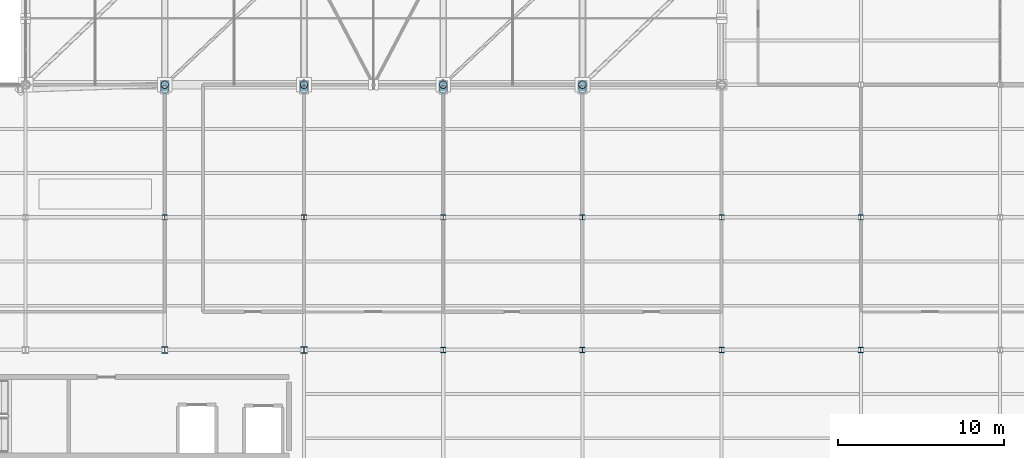
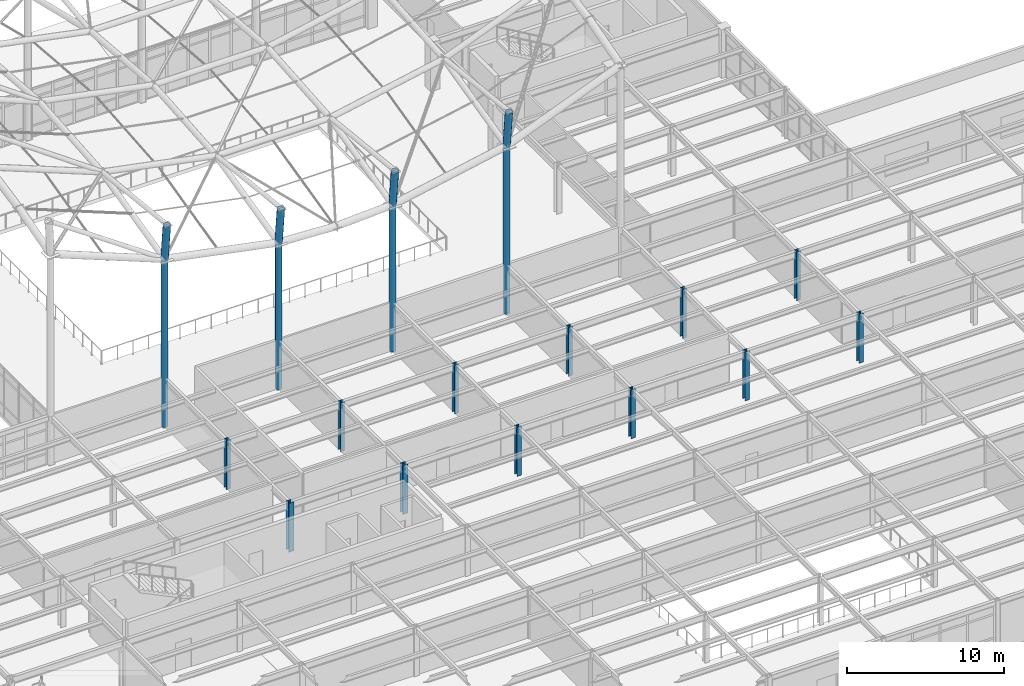
# One storey, part 8 of 138: 20 columns.
"""IFC4 building model written with IfcOpenShell, lengths in metres."""

from ifc_helpers import new_model, si_unit, direction, frame, origin, origin_2d, place, context, subcontext, project, spatial, hollow_circle, i_section, extrude, material, material_profile, profile_set, type_object, element, save


model = new_model("IFC4")

# Units and contexts
model_context = context("Model", 3, precision=1e-05, world=origin(), true_north=direction((0.0, 1.0)))
body_context = subcontext(model_context, "Body", "Model", "MODEL_VIEW")
ifc_project = project(units=[si_unit("LENGTHUNIT", "METRE"), si_unit("AREAUNIT", "SQUARE_METRE"), si_unit("VOLUMEUNIT", "CUBIC_METRE"), si_unit("PLANEANGLEUNIT", "RADIAN"), si_unit("MASSUNIT", "GRAM", prefix="KILO")], contexts=[model_context])

# Site, building, storey
site_placement = place(None, origin())
site = spatial("IfcSite", under=ifc_project, at=site_placement, CompositionType="ELEMENT")
building_placement = place(site_placement, origin())
building = spatial("IfcBuilding", under=site, at=building_placement, Name="Kranzveld Transit Interchange", CompositionType="ELEMENT")
storey_placement = place(building_placement, frame((0.0, 0.0, 5.43994140625)))
storey = spatial("IfcBuildingStorey", under=building, at=storey_placement, Name="L01", CompositionType="ELEMENT", Elevation=5.43994140625)

# Columns
ifc_material_1 = material(Name="Steel S355JR", Category="steel")
ifc_material_profile_1 = material_profile(ifc_material_1, i_section(OverallWidth=0.30908203125, OverallDepth=0.320556640625, WebThickness=0.013916015625, FlangeThickness=0.021728515625, FilletRadius=0.01513671875, at=origin_2d()), Name="UC 305x305x137")
ifc_profile_set_1 = profile_set([ifc_material_profile_1], Name="Steel S355JR")
column_type_1 = type_object("IfcColumnType", Name="Column Steel UC 305x305x137 S355JR", PredefinedType="COLUMN", material=ifc_profile_set_1)
for number, where, z_axis, x_axis, name in (
    (1, (67.199951171875, 48.0, 0.0), (0.0, 0.0, 1.0), (1.0, 0.0, 0.0), "L01 Column 09/G"),
    (2, (75.60009765625, 48.0, 0.0), (0.0, 0.0, 1.0), (1.0, 0.0, 0.0), "L01 Column 10/G"),
    (3, (84.0, 40.0, 0.0), (0.0, 0.0, 1.0), (1.0, 0.0, 0.0), "L01 Column 11/F"),
    (4, (84.0, 48.0, 0.0), (0.0, 0.0, 1.0), (1.0, 0.0, 0.0), "L01 Column 11/G"),
    (5, (92.39990234375, 40.0, 0.0), (0.0, 0.0, 1.0), (1.0, 0.0, 0.0), "L01 Column 12/F"),
    (6, (92.39990234375, 48.0, 0.0), (0.0, 0.0, 1.0), (1.0, 0.0, 0.0), "L01 Column 12/G"),
    (7, (100.800048828125, 40.0, 0.0), (0.0, 0.0, 1.0), (1.0, 0.0, 0.0), "L01 Column 13/F"),
    (8, (100.800048828125, 48.0, 0.0), (0.0, 0.0, 1.0), (1.0, 0.0, 0.0), "L01 Column 13/G"),
    (9, (109.199951171875, 40.0, 0.0), (0.0, 0.0, 1.0), (1.0, 0.0, 0.0), "L01 Column 14/F"),
    (10, (109.199951171875, 48.0, 0.0), (0.0, 0.0, 1.0), (1.0, 0.0, 0.0), "L01 Column 14/G"),
):
    element("IfcColumn", number, at=place(storey_placement, frame(where, z_axis=z_axis, x_axis=x_axis)), inside=storey, type_object=column_type_1, Name=name, PredefinedType="COLUMN", context=body_context, shape_type="SweptSolid", body=[
        extrude(i_section(OverallWidth=0.30908203125, OverallDepth=0.320556640625, WebThickness=0.013916015625, FlangeThickness=0.021728515625, FilletRadius=0.01513671875, at=origin_2d()), origin(), (0.0, 0.0, 1.0), 3.800048828125),
    ])
ifc_material_2 = material(Name="Steel S355JR", Category="steel")
ifc_material_profile_2 = material_profile(ifc_material_2, i_section(OverallWidth=0.374755859375, OverallDepth=0.37451171875, WebThickness=0.0166015625, FlangeThickness=0.027099609375, FilletRadius=0.01513671875, at=origin_2d()), Name="UC 356x368x202")
ifc_profile_set_2 = profile_set([ifc_material_profile_2], Name="Steel S355JR")
column_type_2 = type_object("IfcColumnType", Name="Column Steel UC 356x368x202 S355JR", PredefinedType="COLUMN", material=ifc_profile_set_2)
for number, where, z_axis, x_axis, name in (
    (11, (67.199951171875, 40.0, 0.0), (0.0, 0.0, 1.0), (1.0, 0.0, 0.0), "L01 Column 09/F"),
    (12, (75.60009765625, 40.0, 0.0), (0.0, 0.0, 1.0), (1.0, 0.0, 0.0), "L01 Column 10/F"),
):
    element("IfcColumn", number, at=place(storey_placement, frame(where, z_axis=z_axis, x_axis=x_axis)), inside=storey, type_object=column_type_2, Name=name, PredefinedType="COLUMN", context=body_context, shape_type="SweptSolid", body=[
        extrude(i_section(OverallWidth=0.374755859375, OverallDepth=0.37451171875, WebThickness=0.0166015625, FlangeThickness=0.027099609375, FilletRadius=0.01513671875, at=origin_2d()), origin(), (0.0, 0.0, 1.0), 3.800048828125),
    ])
ifc_material_3 = material(Name="Steel S355JR", Category="steel")
ifc_material_profile_3 = material_profile(ifc_material_3, hollow_circle(Radius=0.228515625, WallThickness=0.01611328125, at=origin_2d()), Name="CHS 457x16")
ifc_profile_set_3 = profile_set([ifc_material_profile_3], Name="Steel S355JR")
column_type_3 = type_object("IfcColumnType", Name="Concourse Column CHS 457x16 S355JR", PredefinedType="COLUMN", material=ifc_profile_set_3)
column_1_placement = place(storey_placement, frame((67.199951171875, 56.0, 0.0), z_axis=(0.0, 0.0, 1.0), x_axis=(1.0, 0.0, 0.0)))
element("IfcColumn", 13, at=column_1_placement, inside=storey, type_object=column_type_3, Name="L01 Column 09/H", PredefinedType="COLUMN", context=body_context, shape_type="SweptSolid", body=[
    extrude(hollow_circle(Radius=0.228515625, WallThickness=0.01611328125, at=origin_2d()), origin(), (0.0, 0.0, 1.0), 12.9521484375),
])
for number, where, z_axis, x_axis, name in (
    (14, (75.60009765625, 56.0, 0.0), (0.0, 0.0, 1.0), (1.0, 0.0, 0.0), "L01 Column 10/H"),
    (15, (84.0, 56.0, 0.0), (0.0, 0.0, 1.0), (1.0, 0.0, 0.0), "L01 Column 11/H"),
):
    element("IfcColumn", number, at=place(storey_placement, frame(where, z_axis=z_axis, x_axis=x_axis)), inside=storey, type_object=column_type_3, Name=name, PredefinedType="COLUMN", context=body_context, shape_type="SweptSolid", body=[
        extrude(hollow_circle(Radius=0.228515625, WallThickness=0.01611328125, at=origin_2d()), origin(), (0.0, 0.0, 1.0), 11.2880859375),
    ])
column_2_placement = place(storey_placement, frame((92.39990234375, 56.0, 0.0), z_axis=(0.0, 0.0, 1.0), x_axis=(1.0, 0.0, 0.0)))
element("IfcColumn", 16, at=column_2_placement, inside=storey, type_object=column_type_3, Name="L01 Column 12/H", PredefinedType="COLUMN", context=body_context, shape_type="SweptSolid", body=[
    extrude(hollow_circle(Radius=0.228515625, WallThickness=0.01611328125, at=origin_2d()), origin(), (0.0, 0.0, 1.0), 12.9521484375),
])
ifc_material_4 = material(Name="Steel S355JR", Category="steel")
ifc_material_profile_4 = material_profile(ifc_material_4, hollow_circle(Radius=0.25390625, WallThickness=0.02001953125, at=origin_2d()), Name="CHS 508x20")
ifc_profile_set_4 = profile_set([ifc_material_profile_4], Name="Steel S355JR")
column_type_4 = type_object("IfcColumnType", Name="Saddle Mast Steel CHS 508x20 S355JR", PredefinedType="COLUMN", material=ifc_profile_set_4)
column_3_placement = place(storey_placement, frame((67.199951171875, 56.0, 13.001953125), z_axis=(0.0, -0.105430502232, 0.994426673616), x_axis=(1.0, 0.0, 0.0)))
element("IfcColumn", 17, at=column_3_placement, inside=storey, type_object=column_type_4, Name="Saddle Roof Mast M06 (09/H)", PredefinedType="COLUMN", context=body_context, shape_type="SweptSolid", body=[
    extrude(hollow_circle(Radius=0.25390625, WallThickness=0.02001953125, at=origin_2d()), origin(), (0.0, 0.0, 1.0), 2.845947265625),
])
for number, where, z_axis, x_axis, name in (
    (18, (75.60009765625, 56.0, 11.338134765625), (0.0, -0.105439497006, 0.994425719936), (1.0, 0.0, 0.0), "Saddle Roof Mast M07 (10/H)"),
    (19, (84.0, 56.0, 11.338134765625), (0.0, -0.105439497006, 0.994425719936), (1.0, 0.0, 0.0), "Saddle Roof Mast M08 (11/H)"),
):
    element("IfcColumn", number, at=place(storey_placement, frame(where, z_axis=z_axis, x_axis=x_axis)), inside=storey, type_object=column_type_4, Name=name, PredefinedType="COLUMN", context=body_context, shape_type="SweptSolid", body=[
        extrude(hollow_circle(Radius=0.25390625, WallThickness=0.02001953125, at=origin_2d()), origin(), (0.0, 0.0, 1.0), 2.845703125),
    ])
column_4_placement = place(storey_placement, frame((92.39990234375, 56.0, 13.001953125), z_axis=(0.0, -0.105430502232, 0.994426673616), x_axis=(1.0, 0.0, 0.0)))
element("IfcColumn", 20, at=column_4_placement, inside=storey, type_object=column_type_4, Name="Saddle Roof Mast M09 (12/H)", PredefinedType="COLUMN", context=body_context, shape_type="SweptSolid", body=[
    extrude(hollow_circle(Radius=0.25390625, WallThickness=0.02001953125, at=origin_2d()), origin(), (0.0, 0.0, 1.0), 2.845947265625),
])

save(model, "model.ifc")
